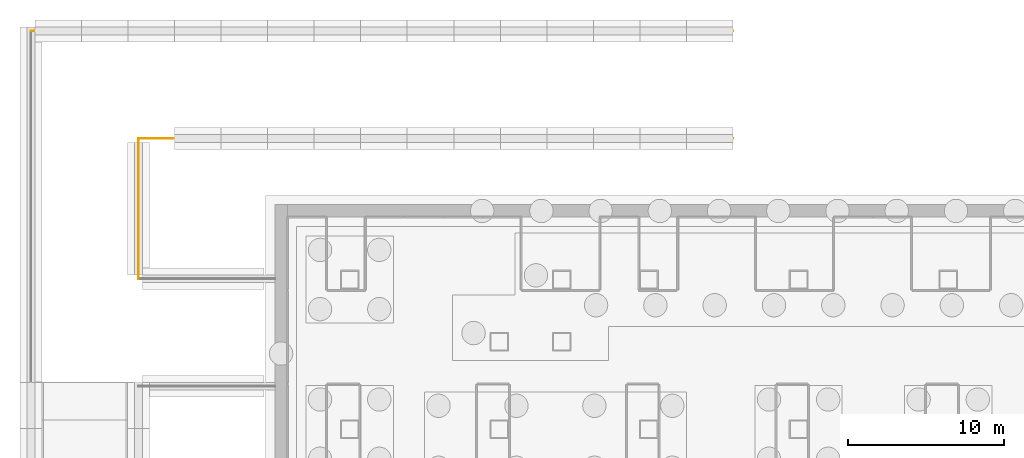
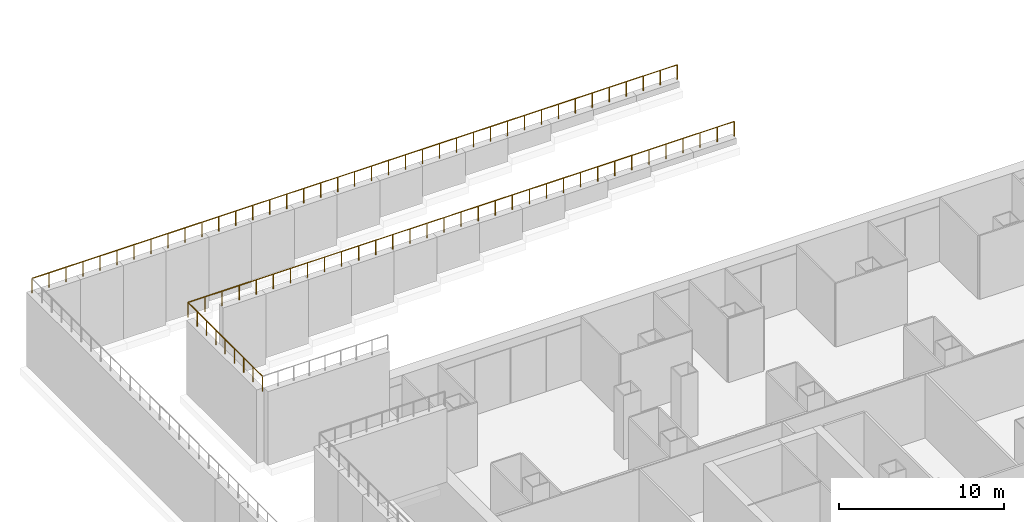
# One storey, part 16 of 17: 3 railings.
"""IFC4 building model written with IfcOpenShell, lengths in metres."""

from ifc_helpers import new_model, si_unit, direction, frame, origin, origin_2d, place, context, subcontext, project, spatial, circle, extrude, material, type_object, element, save


model = new_model("IFC4")

# Units and contexts
model_context = context("Model", 3, precision=1e-05, world=origin(), true_north=direction((0.0, 1.0)))
body_context = subcontext(model_context, "Body", "Model", "MODEL_VIEW")
ifc_project = project(units=[si_unit("LENGTHUNIT", "METRE"), si_unit("AREAUNIT", "SQUARE_METRE"), si_unit("VOLUMEUNIT", "CUBIC_METRE"), si_unit("PLANEANGLEUNIT", "RADIAN"), si_unit("MASSUNIT", "GRAM", prefix="KILO")], contexts=[model_context])

# Site, building, storey
site_placement = place(None, origin())
site = spatial("IfcSite", under=ifc_project, at=site_placement, CompositionType="ELEMENT")
building_placement = place(site_placement, origin())
building = spatial("IfcBuilding", under=site, at=building_placement, Name="Cobrizo Arcos Hotel Tower", CompositionType="ELEMENT")
storey_placement = place(building_placement, frame((0.0, 0.0, -10.0)))
storey = spatial("IfcBuildingStorey", under=building, at=storey_placement, Name="B2", CompositionType="ELEMENT", Elevation=-10.0)

# Railings
ifc_material = material(Name="Stainless steel railing", Category="steel")
railing_type = type_object("IfcRailingType", Name="Ramp edge guard 1100", PredefinedType="GUARDRAIL", material=ifc_material)
railing_1_placement = place(storey_placement, frame((-9.0, 39.949951171875, 10.14990234375)))
element("IfcRailing", 1, at=railing_1_placement, inside=storey, type_object=railing_type, Name="Ramp edge guard street 1", PredefinedType="GUARDRAIL", context=body_context, shape_type="SweptSolid", body=[
    extrude(circle(Radius=0.02392578125, at=origin_2d()), frame((0.0, 0.0, 1.076171875), z_axis=(-1.0, 0.0, 0.0), x_axis=(0.0, -1.0, 0.0)), (0.0, 0.0, 1.0), 45.050048828125),
    extrude(circle(Radius=0.02099609375, at=origin_2d()), origin(), (0.0, 0.0, 1.0), 1.052001953125),
    extrude(circle(Radius=0.02099609375, at=origin_2d()), frame((-1.185546875, 0.0, 0.0)), (0.0, 0.0, 1.0), 1.052001953125),
    extrude(circle(Radius=0.02099609375, at=origin_2d()), frame((-2.37109375, 0.0, 0.0)), (0.0, 0.0, 1.0), 1.052001953125),
    extrude(circle(Radius=0.02099609375, at=origin_2d()), frame((-3.556640625, 0.0, 0.0)), (0.0, 0.0, 1.0), 1.052001953125),
    extrude(circle(Radius=0.02099609375, at=origin_2d()), frame((-4.7421875, 0.0, 0.0)), (0.0, 0.0, 1.0), 1.052001953125),
    extrude(circle(Radius=0.02099609375, at=origin_2d()), frame((-5.927734375, 0.0, 0.0)), (0.0, 0.0, 1.0), 1.052001953125),
    extrude(circle(Radius=0.02099609375, at=origin_2d()), frame((-7.11328125, 0.0, 0.0)), (0.0, 0.0, 1.0), 1.052001953125),
    extrude(circle(Radius=0.02099609375, at=origin_2d()), frame((-8.298583984375, 0.0, 0.0)), (0.0, 0.0, 1.0), 1.052001953125),
    extrude(circle(Radius=0.02099609375, at=origin_2d()), frame((-9.484130859375, 0.0, 0.0)), (0.0, 0.0, 1.0), 1.052001953125),
    extrude(circle(Radius=0.02099609375, at=origin_2d()), frame((-10.669677734375, 0.0, 0.0)), (0.0, 0.0, 1.0), 1.052001953125),
    extrude(circle(Radius=0.02099609375, at=origin_2d()), frame((-11.855224609375, 0.0, 0.0)), (0.0, 0.0, 1.0), 1.052001953125),
    extrude(circle(Radius=0.02099609375, at=origin_2d()), frame((-13.040771484375, 0.0, 0.0)), (0.0, 0.0, 1.0), 1.052001953125),
    extrude(circle(Radius=0.02099609375, at=origin_2d()), frame((-14.226318359375, 0.0, 0.0)), (0.0, 0.0, 1.0), 1.052001953125),
    extrude(circle(Radius=0.02099609375, at=origin_2d()), frame((-15.411865234375, 0.0, 0.0)), (0.0, 0.0, 1.0), 1.052001953125),
    extrude(circle(Radius=0.02099609375, at=origin_2d()), frame((-16.597412109375, 0.0, 0.0)), (0.0, 0.0, 1.0), 1.052001953125),
    extrude(circle(Radius=0.02099609375, at=origin_2d()), frame((-17.782958984375, 0.0, 0.0)), (0.0, 0.0, 1.0), 1.052001953125),
    extrude(circle(Radius=0.02099609375, at=origin_2d()), frame((-18.968505859375, 0.0, 0.0)), (0.0, 0.0, 1.0), 1.052001953125),
    extrude(circle(Radius=0.02099609375, at=origin_2d()), frame((-20.154052734375, 0.0, 0.0)), (0.0, 0.0, 1.0), 1.052001953125),
    extrude(circle(Radius=0.02099609375, at=origin_2d()), frame((-21.339599609375, 0.0, 0.0)), (0.0, 0.0, 1.0), 1.052001953125),
    extrude(circle(Radius=0.02099609375, at=origin_2d()), frame((-22.52490234375, 0.0, 0.0)), (0.0, 0.0, 1.0), 1.052001953125),
    extrude(circle(Radius=0.02099609375, at=origin_2d()), frame((-23.71044921875, 0.0, 0.0)), (0.0, 0.0, 1.0), 1.052001953125),
    extrude(circle(Radius=0.02099609375, at=origin_2d()), frame((-24.89599609375, 0.0, 0.0)), (0.0, 0.0, 1.0), 1.052001953125),
    extrude(circle(Radius=0.02099609375, at=origin_2d()), frame((-26.08154296875, 0.0, 0.0)), (0.0, 0.0, 1.0), 1.052001953125),
    extrude(circle(Radius=0.02099609375, at=origin_2d()), frame((-27.26708984375, 0.0, 0.0)), (0.0, 0.0, 1.0), 1.052001953125),
    extrude(circle(Radius=0.02099609375, at=origin_2d()), frame((-28.45263671875, 0.0, 0.0)), (0.0, 0.0, 1.0), 1.052001953125),
    extrude(circle(Radius=0.02099609375, at=origin_2d()), frame((-29.63818359375, 0.0, 0.0)), (0.0, 0.0, 1.0), 1.052001953125),
    extrude(circle(Radius=0.02099609375, at=origin_2d()), frame((-30.82373046875, 0.0, 0.0)), (0.0, 0.0, 1.0), 1.052001953125),
    extrude(circle(Radius=0.02099609375, at=origin_2d()), frame((-32.00927734375, 0.0, 0.0)), (0.0, 0.0, 1.0), 1.052001953125),
    extrude(circle(Radius=0.02099609375, at=origin_2d()), frame((-33.19482421875, 0.0, 0.0)), (0.0, 0.0, 1.0), 1.052001953125),
    extrude(circle(Radius=0.02099609375, at=origin_2d()), frame((-34.38037109375, 0.0, 0.0)), (0.0, 0.0, 1.0), 1.052001953125),
    extrude(circle(Radius=0.02099609375, at=origin_2d()), frame((-35.56591796875, 0.0, 0.0)), (0.0, 0.0, 1.0), 1.052001953125),
    extrude(circle(Radius=0.02099609375, at=origin_2d()), frame((-36.75146484375, 0.0, 0.0)), (0.0, 0.0, 1.0), 1.052001953125),
    extrude(circle(Radius=0.02099609375, at=origin_2d()), frame((-37.936767578125, 0.0, 0.0)), (0.0, 0.0, 1.0), 1.052001953125),
    extrude(circle(Radius=0.02099609375, at=origin_2d()), frame((-39.122314453125, 0.0, 0.0)), (0.0, 0.0, 1.0), 1.052001953125),
    extrude(circle(Radius=0.02099609375, at=origin_2d()), frame((-40.307861328125, 0.0, 0.0)), (0.0, 0.0, 1.0), 1.052001953125),
    extrude(circle(Radius=0.02099609375, at=origin_2d()), frame((-41.493408203125, 0.0, 0.0)), (0.0, 0.0, 1.0), 1.052001953125),
    extrude(circle(Radius=0.02099609375, at=origin_2d()), frame((-42.678955078125, 0.0, 0.0)), (0.0, 0.0, 1.0), 1.052001953125),
    extrude(circle(Radius=0.02099609375, at=origin_2d()), frame((-43.864501953125, 0.0, 0.0)), (0.0, 0.0, 1.0), 1.052001953125),
    extrude(circle(Radius=0.02099609375, at=origin_2d()), frame((-45.050048828125, 0.0, 0.0)), (0.0, 0.0, 1.0), 1.052001953125),
])
railing_2_placement = place(storey_placement, frame((-47.14990234375, 24.050048828125, 10.14990234375)))
element("IfcRailing", 2, at=railing_2_placement, inside=storey, type_object=railing_type, Name="Ramp edge guard inner north 2", PredefinedType="GUARDRAIL", context=body_context, shape_type="SweptSolid", body=[
    extrude(circle(Radius=0.02392578125, at=origin_2d()), frame((0.0, 0.0, 1.076171875), z_axis=(0.0, 1.0, 0.0), x_axis=(-1.0, 0.0, 0.0)), (0.0, 0.0, 1.0), 9.0),
    extrude(circle(Radius=0.02099609375, at=origin_2d()), origin(), (0.0, 0.0, 1.0), 1.052001953125),
    extrude(circle(Radius=0.02099609375, at=origin_2d()), frame((0.0, 1.125, 0.0)), (0.0, 0.0, 1.0), 1.052001953125),
    extrude(circle(Radius=0.02099609375, at=origin_2d()), frame((0.0, 2.25, 0.0)), (0.0, 0.0, 1.0), 1.052001953125),
    extrude(circle(Radius=0.02099609375, at=origin_2d()), frame((0.0, 3.375, 0.0)), (0.0, 0.0, 1.0), 1.052001953125),
    extrude(circle(Radius=0.02099609375, at=origin_2d()), frame((0.0, 4.5, 0.0)), (0.0, 0.0, 1.0), 1.052001953125),
    extrude(circle(Radius=0.02099609375, at=origin_2d()), frame((0.0, 5.625, 0.0)), (0.0, 0.0, 1.0), 1.052001953125),
    extrude(circle(Radius=0.02099609375, at=origin_2d()), frame((0.0, 6.75, 0.0)), (0.0, 0.0, 1.0), 1.052001953125),
    extrude(circle(Radius=0.02099609375, at=origin_2d()), frame((0.0, 7.875, 0.0)), (0.0, 0.0, 1.0), 1.052001953125),
    extrude(circle(Radius=0.02099609375, at=origin_2d()), frame((0.0, 9.0, 0.0)), (0.0, 0.0, 1.0), 1.052001953125),
])
railing_3_placement = place(storey_placement, frame((-47.14990234375, 33.050048828125, 10.14990234375)))
element("IfcRailing", 3, at=railing_3_placement, inside=storey, type_object=railing_type, Name="Ramp edge guard inner north 3", PredefinedType="GUARDRAIL", context=body_context, shape_type="SweptSolid", body=[
    extrude(circle(Radius=0.02392578125, at=origin_2d()), frame((0.0, 0.0, 1.076171875), z_axis=(1.0, 0.0, 0.0), x_axis=(0.0, 1.0, 0.0)), (0.0, 0.0, 1.0), 38.14990234375),
    extrude(circle(Radius=0.02099609375, at=origin_2d()), origin(), (0.0, 0.0, 1.0), 1.052001953125),
    extrude(circle(Radius=0.02099609375, at=origin_2d()), frame((1.192138671875, 0.0, 0.0)), (0.0, 0.0, 1.0), 1.052001953125),
    extrude(circle(Radius=0.02099609375, at=origin_2d()), frame((2.38427734375, 0.0, 0.0)), (0.0, 0.0, 1.0), 1.052001953125),
    extrude(circle(Radius=0.02099609375, at=origin_2d()), frame((3.57666015625, 0.0, 0.0)), (0.0, 0.0, 1.0), 1.052001953125),
    extrude(circle(Radius=0.02099609375, at=origin_2d()), frame((4.768798828125, 0.0, 0.0)), (0.0, 0.0, 1.0), 1.052001953125),
    extrude(circle(Radius=0.02099609375, at=origin_2d()), frame((5.9609375, 0.0, 0.0)), (0.0, 0.0, 1.0), 1.052001953125),
    extrude(circle(Radius=0.02099609375, at=origin_2d()), frame((7.153076171875, 0.0, 0.0)), (0.0, 0.0, 1.0), 1.052001953125),
    extrude(circle(Radius=0.02099609375, at=origin_2d()), frame((8.34521484375, 0.0, 0.0)), (0.0, 0.0, 1.0), 1.052001953125),
    extrude(circle(Radius=0.02099609375, at=origin_2d()), frame((9.53759765625, 0.0, 0.0)), (0.0, 0.0, 1.0), 1.052001953125),
    extrude(circle(Radius=0.02099609375, at=origin_2d()), frame((10.729736328125, 0.0, 0.0)), (0.0, 0.0, 1.0), 1.052001953125),
    extrude(circle(Radius=0.02099609375, at=origin_2d()), frame((11.921875, 0.0, 0.0)), (0.0, 0.0, 1.0), 1.052001953125),
    extrude(circle(Radius=0.02099609375, at=origin_2d()), frame((13.114013671875, 0.0, 0.0)), (0.0, 0.0, 1.0), 1.052001953125),
    extrude(circle(Radius=0.02099609375, at=origin_2d()), frame((14.30615234375, 0.0, 0.0)), (0.0, 0.0, 1.0), 1.052001953125),
    extrude(circle(Radius=0.02099609375, at=origin_2d()), frame((15.498291015625, 0.0, 0.0)), (0.0, 0.0, 1.0), 1.052001953125),
    extrude(circle(Radius=0.02099609375, at=origin_2d()), frame((16.690673828125, 0.0, 0.0)), (0.0, 0.0, 1.0), 1.052001953125),
    extrude(circle(Radius=0.02099609375, at=origin_2d()), frame((17.8828125, 0.0, 0.0)), (0.0, 0.0, 1.0), 1.052001953125),
    extrude(circle(Radius=0.02099609375, at=origin_2d()), frame((19.074951171875, 0.0, 0.0)), (0.0, 0.0, 1.0), 1.052001953125),
    extrude(circle(Radius=0.02099609375, at=origin_2d()), frame((20.26708984375, 0.0, 0.0)), (0.0, 0.0, 1.0), 1.052001953125),
    extrude(circle(Radius=0.02099609375, at=origin_2d()), frame((21.459228515625, 0.0, 0.0)), (0.0, 0.0, 1.0), 1.052001953125),
    extrude(circle(Radius=0.02099609375, at=origin_2d()), frame((22.651611328125, 0.0, 0.0)), (0.0, 0.0, 1.0), 1.052001953125),
    extrude(circle(Radius=0.02099609375, at=origin_2d()), frame((23.84375, 0.0, 0.0)), (0.0, 0.0, 1.0), 1.052001953125),
    extrude(circle(Radius=0.02099609375, at=origin_2d()), frame((25.035888671875, 0.0, 0.0)), (0.0, 0.0, 1.0), 1.052001953125),
    extrude(circle(Radius=0.02099609375, at=origin_2d()), frame((26.22802734375, 0.0, 0.0)), (0.0, 0.0, 1.0), 1.052001953125),
    extrude(circle(Radius=0.02099609375, at=origin_2d()), frame((27.420166015625, 0.0, 0.0)), (0.0, 0.0, 1.0), 1.052001953125),
    extrude(circle(Radius=0.02099609375, at=origin_2d()), frame((28.6123046875, 0.0, 0.0)), (0.0, 0.0, 1.0), 1.052001953125),
    extrude(circle(Radius=0.02099609375, at=origin_2d()), frame((29.8046875, 0.0, 0.0)), (0.0, 0.0, 1.0), 1.052001953125),
    extrude(circle(Radius=0.02099609375, at=origin_2d()), frame((30.996826171875, 0.0, 0.0)), (0.0, 0.0, 1.0), 1.052001953125),
    extrude(circle(Radius=0.02099609375, at=origin_2d()), frame((32.18896484375, 0.0, 0.0)), (0.0, 0.0, 1.0), 1.052001953125),
    extrude(circle(Radius=0.02099609375, at=origin_2d()), frame((33.381103515625, 0.0, 0.0)), (0.0, 0.0, 1.0), 1.052001953125),
    extrude(circle(Radius=0.02099609375, at=origin_2d()), frame((34.5732421875, 0.0, 0.0)), (0.0, 0.0, 1.0), 1.052001953125),
    extrude(circle(Radius=0.02099609375, at=origin_2d()), frame((35.765625, 0.0, 0.0)), (0.0, 0.0, 1.0), 1.052001953125),
    extrude(circle(Radius=0.02099609375, at=origin_2d()), frame((36.957763671875, 0.0, 0.0)), (0.0, 0.0, 1.0), 1.052001953125),
    extrude(circle(Radius=0.02099609375, at=origin_2d()), frame((38.14990234375, 0.0, 0.0)), (0.0, 0.0, 1.0), 1.052001953125),
])

save(model, "model.ifc")
